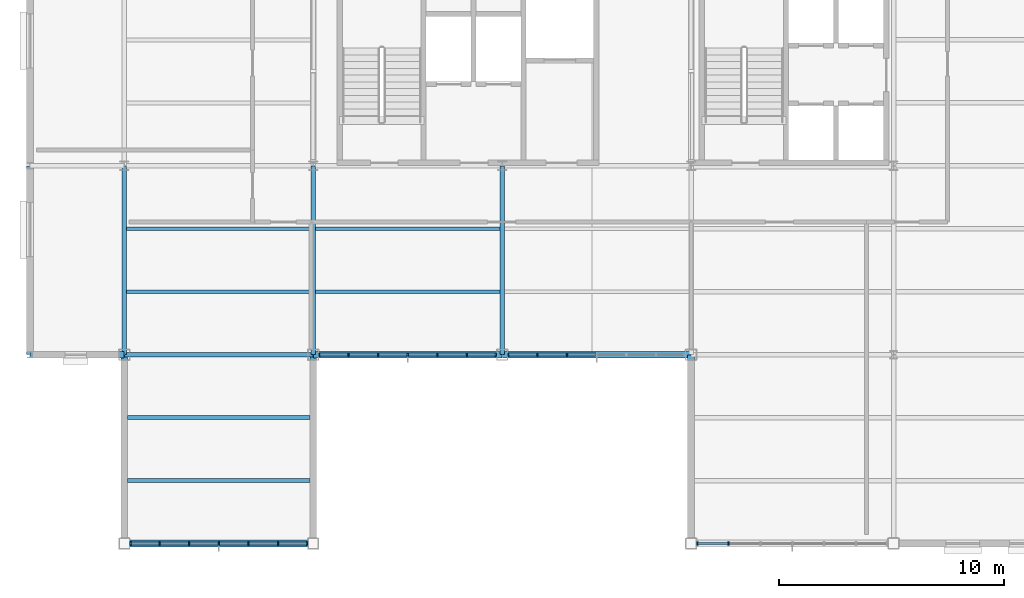
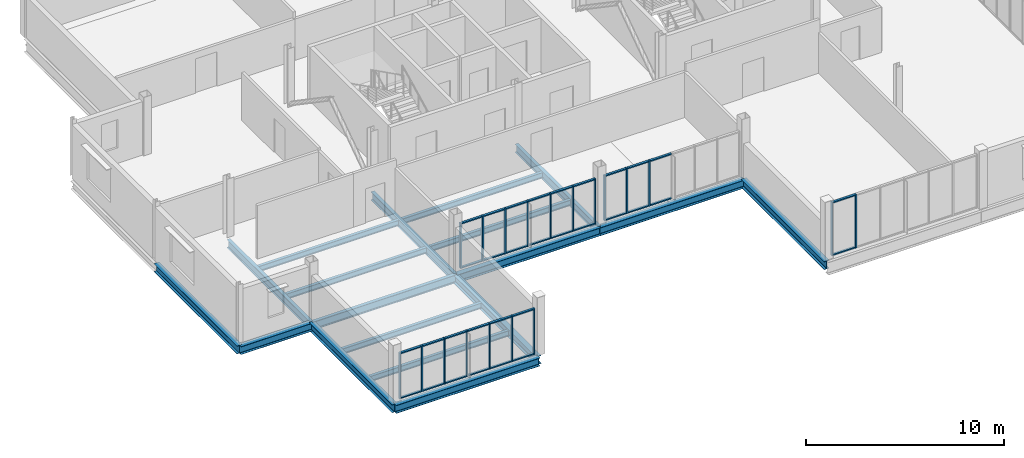
# One storey, part 5 of 19: 51 members, 18 beams, 4 elements without a shape of their own.
"""IFC4 building model written with IfcOpenShell, lengths in metres."""

from ifc_helpers import new_model, si_unit, direction, frame, origin, origin_2d, place, context, subcontext, project, spatial, rectangle, i_section, extrude, material, layer, layer_set, material_profile, profile_set, type_object, element, aggregate, save


model = new_model("IFC4")

# Units and contexts
model_context = context("Model", 3, precision=1e-05, world=origin(), true_north=direction((0.0, 1.0)))
body_context = subcontext(model_context, "Body", "Model", "MODEL_VIEW")
ifc_project = project(units=[si_unit("LENGTHUNIT", "METRE"), si_unit("AREAUNIT", "SQUARE_METRE"), si_unit("VOLUMEUNIT", "CUBIC_METRE"), si_unit("PLANEANGLEUNIT", "RADIAN"), si_unit("MASSUNIT", "GRAM", prefix="KILO")], contexts=[model_context])

# Site, building, storey
site_placement = place(None, origin())
site = spatial("IfcSite", under=ifc_project, at=site_placement, CompositionType="ELEMENT")
building_placement = place(site_placement, origin())
building = spatial("IfcBuilding", under=site, at=building_placement, Name="Yukiwa Park Conservatory and Herbarium", CompositionType="ELEMENT")
storey_placement = place(building_placement, frame((0.0, 0.0, 31.800048828125)))
storey = spatial("IfcBuildingStorey", under=building, at=storey_placement, Name="L08", CompositionType="ELEMENT", Elevation=31.800048828125)

# Beams
ifc_material_1 = material(Name="Steel Q355D", Category="steel")
ifc_material_profile_1 = material_profile(ifc_material_1, i_section(OverallWidth=0.198974609375, OverallDepth=0.49609375, WebThickness=0.009033203125, FlangeThickness=0.013916015625, FilletRadius=0.02001953125, at=origin_2d()), Name="HN 496x199x9x14")
ifc_profile_set_1 = profile_set([ifc_material_profile_1], Name="Steel Q355D")
beam_type_1 = type_object("IfcBeamType", Name="BM-GRD-HN496", PredefinedType="BEAM", material=ifc_profile_set_1)
beam_1_placement = place(storey_placement, frame((124.805908203125, 86.39990234375, -0.49609375), z_axis=(1.0, 0.0, 0.0), x_axis=(0.0, 1.0, 0.0)))
element("IfcBeam", 1, at=beam_1_placement, inside=storey, type_object=beam_type_1, Name="L08 grid beam X-5", PredefinedType="BEAM", context=body_context, shape_type="SweptSolid", body=[
    extrude(i_section(OverallWidth=0.198974609375, OverallDepth=0.49609375, WebThickness=0.009033203125, FlangeThickness=0.013916015625, FilletRadius=0.02001953125, at=origin_2d()), origin(), (0.0, 0.0, 1.0), 8.38818359375),
])
ifc_material_2 = material(Name="Steel Q355D", Category="steel")
ifc_material_profile_2 = material_profile(ifc_material_2, i_section(OverallWidth=0.199951171875, OverallDepth=0.5, WebThickness=0.010009765625, FlangeThickness=0.01611328125, FilletRadius=0.02001953125, at=origin_2d()), Name="HN 500x200x10x16")
ifc_profile_set_2 = profile_set([ifc_material_profile_2], Name="Steel Q355D")
beam_type_2 = type_object("IfcBeamType", Name="BM-GRD-HN500", PredefinedType="BEAM", material=ifc_profile_set_2)
for number, where, z_axis, x_axis, name in (
    (2, (124.800048828125, 86.406005859375, -0.498046875), (0.0, 1.0, 0.0), (-1.0, 0.0, 0.0), "L08 grid girder Y-30"),
    (3, (133.199951171875, 86.406005859375, -0.498046875), (0.0, 1.0, 0.0), (-1.0, 0.0, 0.0), "L08 grid girder Y-34"),
    (4, (141.60009765625, 86.406005859375, -0.498046875), (0.0, 1.0, 0.0), (-1.0, 0.0, 0.0), "L08 grid girder Y-37"),
):
    element("IfcBeam", number, at=place(storey_placement, frame(where, z_axis=z_axis, x_axis=x_axis)), inside=storey, type_object=beam_type_2, Name=name, PredefinedType="BEAM", context=body_context, shape_type="SweptSolid", body=[
        extrude(i_section(OverallWidth=0.199951171875, OverallDepth=0.5, WebThickness=0.010009765625, FlangeThickness=0.01611328125, FilletRadius=0.02001953125, at=origin_2d()), origin(), (0.0, 0.0, 1.0), 8.387939453125),
    ])
ifc_material_3 = material(Name="Steel Q355D", Category="steel")
ifc_material_profile_3 = material_profile(ifc_material_3, i_section(OverallWidth=0.174072265625, OverallDepth=0.345947265625, WebThickness=0.006103515625, FlangeThickness=0.009033203125, FilletRadius=0.013916015625, at=origin_2d()), Name="HN 346x174x6x9")
ifc_profile_set_3 = profile_set([ifc_material_profile_3], Name="Steel Q355D")
beam_type_3 = type_object("IfcBeamType", Name="BM-JST-HN346", PredefinedType="JOIST", material=ifc_profile_set_3)
for number, where, z_axis, x_axis, name in (
    (5, (124.946044921875, 80.800048828125, -0.421142578125), (1.0, 0.0, 0.0), (0.0, 1.0, 0.0), "L08 composite floor joist 1"),
    (6, (124.946044921875, 83.60009765625, -0.421142578125), (1.0, 0.0, 0.0), (0.0, 1.0, 0.0), "L08 composite floor joist 2"),
):
    element("IfcBeam", number, at=place(storey_placement, frame(where, z_axis=z_axis, x_axis=x_axis)), inside=storey, type_object=beam_type_3, Name=name, PredefinedType="JOIST", context=body_context, shape_type="SweptSolid", body=[
        extrude(i_section(OverallWidth=0.174072265625, OverallDepth=0.345947265625, WebThickness=0.006103515625, FlangeThickness=0.009033203125, FilletRadius=0.013916015625, at=origin_2d()), origin(), (0.0, 0.0, 1.0), 8.10791015625),
    ])
for number, where, z_axis, x_axis, name in (
    (7, (124.89599609375, 89.199951171875, -0.421142578125), (1.0, 0.0, 0.0), (0.0, 1.0, 0.0), "L08 composite floor joist 3"),
    (8, (124.89599609375, 92.0, -0.421142578125), (1.0, 0.0, 0.0), (0.0, 1.0, 0.0), "L08 composite floor joist 4"),
    (9, (133.2958984375, 89.199951171875, -0.421142578125), (1.0, 0.0, 0.0), (0.0, 1.0, 0.0), "L08 composite floor joist 9"),
    (10, (133.2958984375, 92.0, -0.421142578125), (1.0, 0.0, 0.0), (0.0, 1.0, 0.0), "L08 composite floor joist 10"),
):
    element("IfcBeam", number, at=place(storey_placement, frame(where, z_axis=z_axis, x_axis=x_axis)), inside=storey, type_object=beam_type_3, Name=name, PredefinedType="JOIST", context=body_context, shape_type="SweptSolid", body=[
        extrude(i_section(OverallWidth=0.174072265625, OverallDepth=0.345947265625, WebThickness=0.006103515625, FlangeThickness=0.009033203125, FilletRadius=0.013916015625, at=origin_2d()), origin(), (0.0, 0.0, 1.0), 8.2080078125),
    ])
ifc_material_4 = material(Name="Steel Q355D", Category="steel")
ifc_material_profile_4 = material_profile(ifc_material_4, i_section(OverallWidth=0.300048828125, OverallDepth=0.493896484375, WebThickness=0.010986328125, FlangeThickness=0.014892578125, FilletRadius=0.02392578125, at=origin_2d()), Name="HM 494x300x11x15")
ifc_profile_set_4 = profile_set([ifc_material_profile_4], Name="Steel Q355D")
beam_type_4 = type_object("IfcBeamType", Name="BM-SPN-HN450", PredefinedType="SPANDREL", material=ifc_profile_set_4)
beam_2_placement = place(storey_placement, frame((120.60595703125, 86.39990234375, -0.4951171875), z_axis=(1.0, 0.0, 0.0), x_axis=(0.0, 1.0, 0.0)))
element("IfcBeam", 11, at=beam_2_placement, inside=storey, type_object=beam_type_4, Name="L08 spandrel beam X-4", PredefinedType="SPANDREL", context=body_context, shape_type="SweptSolid", body=[
    extrude(i_section(OverallWidth=0.300048828125, OverallDepth=0.493896484375, WebThickness=0.010986328125, FlangeThickness=0.014892578125, FilletRadius=0.02392578125, at=origin_2d()), origin(), (0.0, 0.0, 1.0), 4.18798828125),
])
ifc_material_5 = material(Name="Steel Q355D", Category="steel")
ifc_material_profile_5 = material_profile(ifc_material_5, i_section(OverallWidth=0.300048828125, OverallDepth=0.5, WebThickness=0.010986328125, FlangeThickness=0.01806640625, FilletRadius=0.02392578125, at=origin_2d()), Name="HM 500x300x11x18")
ifc_profile_set_5 = profile_set([ifc_material_profile_5], Name="Steel Q355D")
beam_type_5 = type_object("IfcBeamType", Name="BM-SPN-HN500", PredefinedType="SPANDREL", material=ifc_profile_set_5)
beam_3_placement = place(storey_placement, frame((124.805908203125, 78.0, -0.498046875), z_axis=(1.0, 0.0, 0.0), x_axis=(0.0, 1.0, 0.0)))
element("IfcBeam", 12, at=beam_3_placement, inside=storey, type_object=beam_type_5, Name="L08 spandrel beam X-1", PredefinedType="SPANDREL", context=body_context, shape_type="SweptSolid", body=[
    extrude(i_section(OverallWidth=0.300048828125, OverallDepth=0.5, WebThickness=0.010986328125, FlangeThickness=0.01806640625, FilletRadius=0.02392578125, at=origin_2d()), origin(), (0.0, 0.0, 1.0), 8.38818359375),
])
for number, where, z_axis, x_axis, name in (
    (13, (133.2060546875, 86.39990234375, -0.498046875), (1.0, 0.0, 0.0), (0.0, 1.0, 0.0), "L08 spandrel beam X-6"),
    (14, (141.60595703125, 86.39990234375, -0.498046875), (1.0, 0.0, 0.0), (0.0, 1.0, 0.0), "L08 spandrel beam X-7"),
    (15, (120.60009765625, 86.406005859375, -0.498046875), (0.0, 1.0, 0.0), (-1.0, 0.0, 0.0), "L08 spandrel girder Y-27"),
    (16, (124.800048828125, 78.006103515625, -0.498046875), (0.0, 1.0, 0.0), (-1.0, 0.0, 0.0), "L08 spandrel girder Y-29"),
    (17, (133.199951171875, 78.006103515625, -0.498046875), (0.0, 1.0, 0.0), (-1.0, 0.0, 0.0), "L08 spandrel girder Y-33"),
    (18, (150.0, 78.006103515625, -0.498046875), (0.0, 1.0, 0.0), (-1.0, 0.0, 0.0), "L08 spandrel girder Y-39"),
):
    element("IfcBeam", number, at=place(storey_placement, frame(where, z_axis=z_axis, x_axis=x_axis)), inside=storey, type_object=beam_type_5, Name=name, PredefinedType="SPANDREL", context=body_context, shape_type="SweptSolid", body=[
        extrude(i_section(OverallWidth=0.300048828125, OverallDepth=0.5, WebThickness=0.010986328125, FlangeThickness=0.01806640625, FilletRadius=0.02392578125, at=origin_2d()), origin(), (0.0, 0.0, 1.0), 8.387939453125),
    ])

# Curtain wall, members
ifc_material_6 = material(Name="Triple Low-E Insulated Glass", Category="glass")
ifc_layer = layer(ifc_material_6, 0.248046875)
ifc_layer_set = layer_set([ifc_layer], Name="Triple Low-E Insulated Glass")
curtain_wall_type = type_object("IfcCurtainWallType", Name="CW-TOWER-LAB-S-1400", PredefinedType="NOTDEFINED", material=ifc_layer_set)
curtain_wall_1_placement = place(storey_placement, origin())
curtain_wall_1 = element("IfcCurtainWall", 19, at=curtain_wall_1_placement, inside=storey, type_object=curtain_wall_type, Name="L08 unitised curtain wall CW-L08-093", PredefinedType="NOTDEFINED")
ifc_material_7 = material(Name="Anodised Aluminium", Category="aluminium")
member_type_1 = type_object("IfcMemberType", Name="MB-CW-MUL-70X150", PredefinedType="MULLION", material=ifc_material_7)
member_1_placement = place(storey_placement, frame((125.0849609375, 78.0, 0.0), z_axis=(0.0, 0.0, 1.0), x_axis=(1.0, 0.0, 0.0)))
member_1 = element("IfcMember", 20, at=member_1_placement, type_object=member_type_1, Name="CW-L08-093 mullion 1", PredefinedType="MULLION", context=body_context, shape_type="SweptSolid", body=[
    extrude(rectangle(XDim=0.070068359375, YDim=0.14990234375, at=origin_2d()), origin(), (0.0, 0.0, 1.0), 2.824951171875),
])
member_2_placement = place(storey_placement, frame((126.36669921875, 78.0, 0.0), z_axis=(0.0, 0.0, 1.0), x_axis=(1.0, 0.0, 0.0)))
member_2 = element("IfcMember", 21, at=member_2_placement, type_object=member_type_1, Name="CW-L08-093 mullion 2", PredefinedType="MULLION", context=body_context, shape_type="SweptSolid", body=[
    extrude(rectangle(XDim=0.070068359375, YDim=0.14990234375, at=origin_2d()), origin(), (0.0, 0.0, 1.0), 2.824951171875),
])
member_3_placement = place(storey_placement, frame((127.683349609375, 78.0, 0.0), z_axis=(0.0, 0.0, 1.0), x_axis=(1.0, 0.0, 0.0)))
member_3 = element("IfcMember", 22, at=member_3_placement, type_object=member_type_1, Name="CW-L08-093 mullion 3", PredefinedType="MULLION", context=body_context, shape_type="SweptSolid", body=[
    extrude(rectangle(XDim=0.070068359375, YDim=0.14990234375, at=origin_2d()), origin(), (0.0, 0.0, 1.0), 2.824951171875),
])
member_4_placement = place(storey_placement, frame((129.0, 78.0, 0.0), z_axis=(0.0, 0.0, 1.0), x_axis=(1.0, 0.0, 0.0)))
member_4 = element("IfcMember", 23, at=member_4_placement, type_object=member_type_1, Name="CW-L08-093 mullion 4", PredefinedType="MULLION", context=body_context, shape_type="SweptSolid", body=[
    extrude(rectangle(XDim=0.070068359375, YDim=0.14990234375, at=origin_2d()), origin(), (0.0, 0.0, 1.0), 2.824951171875),
])
member_5_placement = place(storey_placement, frame((130.316650390625, 78.0, 0.0), z_axis=(0.0, 0.0, 1.0), x_axis=(1.0, 0.0, 0.0)))
member_5 = element("IfcMember", 24, at=member_5_placement, type_object=member_type_1, Name="CW-L08-093 mullion 5", PredefinedType="MULLION", context=body_context, shape_type="SweptSolid", body=[
    extrude(rectangle(XDim=0.070068359375, YDim=0.14990234375, at=origin_2d()), origin(), (0.0, 0.0, 1.0), 2.824951171875),
])
member_6_placement = place(storey_placement, frame((131.63330078125, 78.0, 0.0), z_axis=(0.0, 0.0, 1.0), x_axis=(1.0, 0.0, 0.0)))
member_6 = element("IfcMember", 25, at=member_6_placement, type_object=member_type_1, Name="CW-L08-093 mullion 6", PredefinedType="MULLION", context=body_context, shape_type="SweptSolid", body=[
    extrude(rectangle(XDim=0.070068359375, YDim=0.14990234375, at=origin_2d()), origin(), (0.0, 0.0, 1.0), 2.824951171875),
])
member_7_placement = place(storey_placement, frame((132.9150390625, 78.0, 0.0), z_axis=(0.0, 0.0, 1.0), x_axis=(1.0, 0.0, 0.0)))
member_7 = element("IfcMember", 26, at=member_7_placement, type_object=member_type_1, Name="CW-L08-093 mullion 7", PredefinedType="MULLION", context=body_context, shape_type="SweptSolid", body=[
    extrude(rectangle(XDim=0.070068359375, YDim=0.14990234375, at=origin_2d()), origin(), (0.0, 0.0, 1.0), 2.824951171875),
])

curtain_wall_2_placement = place(storey_placement, origin())
curtain_wall_2 = element("IfcCurtainWall", 27, at=curtain_wall_2_placement, inside=storey, type_object=curtain_wall_type, Name="L08 unitised curtain wall CW-L08-094", PredefinedType="NOTDEFINED")
member_8_placement = place(storey_placement, frame((133.485107421875, 86.39990234375, 0.0), z_axis=(0.0, 0.0, 1.0), x_axis=(1.0, 0.0, 0.0)))
member_8 = element("IfcMember", 28, at=member_8_placement, type_object=member_type_1, Name="CW-L08-094 mullion 1", PredefinedType="MULLION", context=body_context, shape_type="SweptSolid", body=[
    extrude(rectangle(XDim=0.070068359375, YDim=0.14990234375, at=origin_2d()), origin(), (0.0, 0.0, 1.0), 2.794921875),
])
member_9_placement = place(storey_placement, frame((134.7666015625, 86.39990234375, 0.0), z_axis=(0.0, 0.0, 1.0), x_axis=(1.0, 0.0, 0.0)))
member_9 = element("IfcMember", 29, at=member_9_placement, type_object=member_type_1, Name="CW-L08-094 mullion 2", PredefinedType="MULLION", context=body_context, shape_type="SweptSolid", body=[
    extrude(rectangle(XDim=0.070068359375, YDim=0.14990234375, at=origin_2d()), origin(), (0.0, 0.0, 1.0), 2.794921875),
])
member_10_placement = place(storey_placement, frame((136.083251953125, 86.39990234375, 0.0), z_axis=(0.0, 0.0, 1.0), x_axis=(1.0, 0.0, 0.0)))
member_10 = element("IfcMember", 30, at=member_10_placement, type_object=member_type_1, Name="CW-L08-094 mullion 3", PredefinedType="MULLION", context=body_context, shape_type="SweptSolid", body=[
    extrude(rectangle(XDim=0.070068359375, YDim=0.14990234375, at=origin_2d()), origin(), (0.0, 0.0, 1.0), 2.794921875),
])
member_11_placement = place(storey_placement, frame((137.39990234375, 86.39990234375, 0.0), z_axis=(0.0, 0.0, 1.0), x_axis=(1.0, 0.0, 0.0)))
member_11 = element("IfcMember", 31, at=member_11_placement, type_object=member_type_1, Name="CW-L08-094 mullion 4", PredefinedType="MULLION", context=body_context, shape_type="SweptSolid", body=[
    extrude(rectangle(XDim=0.070068359375, YDim=0.14990234375, at=origin_2d()), origin(), (0.0, 0.0, 1.0), 2.794921875),
])
member_12_placement = place(storey_placement, frame((138.716796875, 86.39990234375, 0.0), z_axis=(0.0, 0.0, 1.0), x_axis=(1.0, 0.0, 0.0)))
member_12 = element("IfcMember", 32, at=member_12_placement, type_object=member_type_1, Name="CW-L08-094 mullion 5", PredefinedType="MULLION", context=body_context, shape_type="SweptSolid", body=[
    extrude(rectangle(XDim=0.070068359375, YDim=0.14990234375, at=origin_2d()), origin(), (0.0, 0.0, 1.0), 2.794921875),
])
member_13_placement = place(storey_placement, frame((140.033203125, 86.39990234375, 0.0), z_axis=(0.0, 0.0, 1.0), x_axis=(1.0, 0.0, 0.0)))
member_13 = element("IfcMember", 33, at=member_13_placement, type_object=member_type_1, Name="CW-L08-094 mullion 6", PredefinedType="MULLION", context=body_context, shape_type="SweptSolid", body=[
    extrude(rectangle(XDim=0.070068359375, YDim=0.14990234375, at=origin_2d()), origin(), (0.0, 0.0, 1.0), 2.794921875),
])
member_14_placement = place(storey_placement, frame((141.31494140625, 86.39990234375, 0.0), z_axis=(0.0, 0.0, 1.0), x_axis=(1.0, 0.0, 0.0)))
member_14 = element("IfcMember", 34, at=member_14_placement, type_object=member_type_1, Name="CW-L08-094 mullion 7", PredefinedType="MULLION", context=body_context, shape_type="SweptSolid", body=[
    extrude(rectangle(XDim=0.070068359375, YDim=0.14990234375, at=origin_2d()), origin(), (0.0, 0.0, 1.0), 2.794921875),
])

curtain_wall_3_placement = place(storey_placement, origin())
curtain_wall_3 = element("IfcCurtainWall", 35, at=curtain_wall_3_placement, inside=storey, type_object=curtain_wall_type, Name="L08 unitised curtain wall CW-L08-095", PredefinedType="NOTDEFINED")
member_15_placement = place(storey_placement, frame((141.885009765625, 86.39990234375, 0.0), z_axis=(0.0, 0.0, 1.0), x_axis=(1.0, 0.0, 0.0)))
member_15 = element("IfcMember", 36, at=member_15_placement, type_object=member_type_1, Name="CW-L08-095 mullion 1", PredefinedType="MULLION", context=body_context, shape_type="SweptSolid", body=[
    extrude(rectangle(XDim=0.070068359375, YDim=0.14990234375, at=origin_2d()), origin(), (0.0, 0.0, 1.0), 2.794921875),
])
member_16_placement = place(storey_placement, frame((143.166748046875, 86.39990234375, 0.0), z_axis=(0.0, 0.0, 1.0), x_axis=(1.0, 0.0, 0.0)))
member_16 = element("IfcMember", 37, at=member_16_placement, type_object=member_type_1, Name="CW-L08-095 mullion 2", PredefinedType="MULLION", context=body_context, shape_type="SweptSolid", body=[
    extrude(rectangle(XDim=0.070068359375, YDim=0.14990234375, at=origin_2d()), origin(), (0.0, 0.0, 1.0), 2.794921875),
])
member_17_placement = place(storey_placement, frame((144.4833984375, 86.39990234375, 0.0), z_axis=(0.0, 0.0, 1.0), x_axis=(1.0, 0.0, 0.0)))
member_17 = element("IfcMember", 38, at=member_17_placement, type_object=member_type_1, Name="CW-L08-095 mullion 3", PredefinedType="MULLION", context=body_context, shape_type="SweptSolid", body=[
    extrude(rectangle(XDim=0.070068359375, YDim=0.14990234375, at=origin_2d()), origin(), (0.0, 0.0, 1.0), 2.794921875),
])

curtain_wall_4_placement = place(storey_placement, origin())
curtain_wall_4 = element("IfcCurtainWall", 39, at=curtain_wall_4_placement, inside=storey, type_object=curtain_wall_type, Name="L08 unitised curtain wall CW-L08-096", PredefinedType="NOTDEFINED")
member_18_placement = place(storey_placement, frame((150.284912109375, 78.0, 0.0), z_axis=(0.0, 0.0, 1.0), x_axis=(1.0, 0.0, 0.0)))
member_18 = element("IfcMember", 40, at=member_18_placement, type_object=member_type_1, Name="CW-L08-096 mullion 1", PredefinedType="MULLION", context=body_context, shape_type="SweptSolid", body=[
    extrude(rectangle(XDim=0.070068359375, YDim=0.14990234375, at=origin_2d()), origin(), (0.0, 0.0, 1.0), 3.294921875),
])
member_19_placement = place(storey_placement, frame((151.666748046875, 78.0, 0.0), z_axis=(0.0, 0.0, 1.0), x_axis=(1.0, 0.0, 0.0)))
member_19 = element("IfcMember", 41, at=member_19_placement, type_object=member_type_1, Name="CW-L08-096 mullion 2", PredefinedType="MULLION", context=body_context, shape_type="SweptSolid", body=[
    extrude(rectangle(XDim=0.070068359375, YDim=0.14990234375, at=origin_2d()), origin(), (0.0, 0.0, 1.0), 3.294921875),
])

# Member
ifc_material_8 = material(Name="Anodised Aluminium", Category="aluminium")
member_type_2 = type_object("IfcMemberType", Name="MB-CW-TRN-70X130", PredefinedType="USERDEFINED", material=ifc_material_8)
member_20_placement = place(storey_placement, frame((125.708251953125, 78.0, 0.0), z_axis=(0.0, 0.0, 1.0), x_axis=(1.0, 0.0, 0.0)))
member_20 = element("IfcMember", 42, at=member_20_placement, type_object=member_type_2, Name="CW-L08-093 transom 1.1", ObjectType="TRANSOM", PredefinedType="USERDEFINED", context=body_context, shape_type="SweptSolid", body=[
    extrude(rectangle(XDim=1.24658203125, YDim=0.1298828125, at=origin_2d()), origin(), (0.0, 0.0, 1.0), 0.070068359375),
])

member_21_placement = place(storey_placement, frame((125.708251953125, 78.0, 2.7548828125), z_axis=(0.0, 0.0, 1.0), x_axis=(1.0, 0.0, 0.0)))
member_21 = element("IfcMember", 43, at=member_21_placement, type_object=member_type_2, Name="CW-L08-093 transom 1.2", ObjectType="TRANSOM", PredefinedType="USERDEFINED", context=body_context, shape_type="SweptSolid", body=[
    extrude(rectangle(XDim=1.24658203125, YDim=0.1298828125, at=origin_2d()), origin(), (0.0, 0.0, 1.0), 0.070068359375),
])

member_22_placement = place(storey_placement, frame((127.02490234375, 78.0, 0.0), z_axis=(0.0, 0.0, 1.0), x_axis=(1.0, 0.0, 0.0)))
member_22 = element("IfcMember", 44, at=member_22_placement, type_object=member_type_2, Name="CW-L08-093 transom 2.1", ObjectType="TRANSOM", PredefinedType="USERDEFINED", context=body_context, shape_type="SweptSolid", body=[
    extrude(rectangle(XDim=1.24658203125, YDim=0.1298828125, at=origin_2d()), origin(), (0.0, 0.0, 1.0), 0.070068359375),
])

member_23_placement = place(storey_placement, frame((127.02490234375, 78.0, 2.7548828125), z_axis=(0.0, 0.0, 1.0), x_axis=(1.0, 0.0, 0.0)))
member_23 = element("IfcMember", 45, at=member_23_placement, type_object=member_type_2, Name="CW-L08-093 transom 2.2", ObjectType="TRANSOM", PredefinedType="USERDEFINED", context=body_context, shape_type="SweptSolid", body=[
    extrude(rectangle(XDim=1.24658203125, YDim=0.1298828125, at=origin_2d()), origin(), (0.0, 0.0, 1.0), 0.070068359375),
])

member_24_placement = place(storey_placement, frame((128.341796875, 78.0, 0.0), z_axis=(0.0, 0.0, 1.0), x_axis=(1.0, 0.0, 0.0)))
member_24 = element("IfcMember", 46, at=member_24_placement, type_object=member_type_2, Name="CW-L08-093 transom 3.1", ObjectType="TRANSOM", PredefinedType="USERDEFINED", context=body_context, shape_type="SweptSolid", body=[
    extrude(rectangle(XDim=1.24658203125, YDim=0.1298828125, at=origin_2d()), origin(), (0.0, 0.0, 1.0), 0.070068359375),
])

member_25_placement = place(storey_placement, frame((128.341796875, 78.0, 2.7548828125), z_axis=(0.0, 0.0, 1.0), x_axis=(1.0, 0.0, 0.0)))
member_25 = element("IfcMember", 47, at=member_25_placement, type_object=member_type_2, Name="CW-L08-093 transom 3.2", ObjectType="TRANSOM", PredefinedType="USERDEFINED", context=body_context, shape_type="SweptSolid", body=[
    extrude(rectangle(XDim=1.24658203125, YDim=0.1298828125, at=origin_2d()), origin(), (0.0, 0.0, 1.0), 0.070068359375),
])

member_26_placement = place(storey_placement, frame((129.658203125, 78.0, 0.0), z_axis=(0.0, 0.0, 1.0), x_axis=(1.0, 0.0, 0.0)))
member_26 = element("IfcMember", 48, at=member_26_placement, type_object=member_type_2, Name="CW-L08-093 transom 4.1", ObjectType="TRANSOM", PredefinedType="USERDEFINED", context=body_context, shape_type="SweptSolid", body=[
    extrude(rectangle(XDim=1.24658203125, YDim=0.1298828125, at=origin_2d()), origin(), (0.0, 0.0, 1.0), 0.070068359375),
])

member_27_placement = place(storey_placement, frame((129.658203125, 78.0, 2.7548828125), z_axis=(0.0, 0.0, 1.0), x_axis=(1.0, 0.0, 0.0)))
member_27 = element("IfcMember", 49, at=member_27_placement, type_object=member_type_2, Name="CW-L08-093 transom 4.2", ObjectType="TRANSOM", PredefinedType="USERDEFINED", context=body_context, shape_type="SweptSolid", body=[
    extrude(rectangle(XDim=1.24658203125, YDim=0.1298828125, at=origin_2d()), origin(), (0.0, 0.0, 1.0), 0.070068359375),
])

member_28_placement = place(storey_placement, frame((130.97509765625, 78.0, 0.0), z_axis=(0.0, 0.0, 1.0), x_axis=(1.0, 0.0, 0.0)))
member_28 = element("IfcMember", 50, at=member_28_placement, type_object=member_type_2, Name="CW-L08-093 transom 5.1", ObjectType="TRANSOM", PredefinedType="USERDEFINED", context=body_context, shape_type="SweptSolid", body=[
    extrude(rectangle(XDim=1.24658203125, YDim=0.1298828125, at=origin_2d()), origin(), (0.0, 0.0, 1.0), 0.070068359375),
])

member_29_placement = place(storey_placement, frame((130.97509765625, 78.0, 2.7548828125), z_axis=(0.0, 0.0, 1.0), x_axis=(1.0, 0.0, 0.0)))
member_29 = element("IfcMember", 51, at=member_29_placement, type_object=member_type_2, Name="CW-L08-093 transom 5.2", ObjectType="TRANSOM", PredefinedType="USERDEFINED", context=body_context, shape_type="SweptSolid", body=[
    extrude(rectangle(XDim=1.24658203125, YDim=0.1298828125, at=origin_2d()), origin(), (0.0, 0.0, 1.0), 0.070068359375),
])

member_30_placement = place(storey_placement, frame((132.291748046875, 78.0, 0.0), z_axis=(0.0, 0.0, 1.0), x_axis=(1.0, 0.0, 0.0)))
member_30 = element("IfcMember", 52, at=member_30_placement, type_object=member_type_2, Name="CW-L08-093 transom 6.1", ObjectType="TRANSOM", PredefinedType="USERDEFINED", context=body_context, shape_type="SweptSolid", body=[
    extrude(rectangle(XDim=1.24658203125, YDim=0.1298828125, at=origin_2d()), origin(), (0.0, 0.0, 1.0), 0.070068359375),
])

member_31_placement = place(storey_placement, frame((132.291748046875, 78.0, 2.7548828125), z_axis=(0.0, 0.0, 1.0), x_axis=(1.0, 0.0, 0.0)))
member_31 = element("IfcMember", 53, at=member_31_placement, type_object=member_type_2, Name="CW-L08-093 transom 6.2", ObjectType="TRANSOM", PredefinedType="USERDEFINED", context=body_context, shape_type="SweptSolid", body=[
    extrude(rectangle(XDim=1.24658203125, YDim=0.1298828125, at=origin_2d()), origin(), (0.0, 0.0, 1.0), 0.070068359375),
])

aggregate(curtain_wall_1, [member_1, member_2, member_3, member_4, member_5, member_6, member_7, member_20, member_21, member_22, member_23, member_24, member_25, member_26, member_27, member_28, member_29, member_30, member_31])

member_32_placement = place(storey_placement, frame((134.1083984375, 86.39990234375, 0.0), z_axis=(0.0, 0.0, 1.0), x_axis=(1.0, 0.0, 0.0)))
member_32 = element("IfcMember", 54, at=member_32_placement, type_object=member_type_2, Name="CW-L08-094 transom 1.1", ObjectType="TRANSOM", PredefinedType="USERDEFINED", context=body_context, shape_type="SweptSolid", body=[
    extrude(rectangle(XDim=1.24658203125, YDim=0.1298828125, at=origin_2d()), origin(), (0.0, 0.0, 1.0), 0.070068359375),
])

member_33_placement = place(storey_placement, frame((134.1083984375, 86.39990234375, 2.72509765625), z_axis=(0.0, 0.0, 1.0), x_axis=(1.0, 0.0, 0.0)))
member_33 = element("IfcMember", 55, at=member_33_placement, type_object=member_type_2, Name="CW-L08-094 transom 1.2", ObjectType="TRANSOM", PredefinedType="USERDEFINED", context=body_context, shape_type="SweptSolid", body=[
    extrude(rectangle(XDim=1.24658203125, YDim=0.1298828125, at=origin_2d()), origin(), (0.0, 0.0, 1.0), 0.070068359375),
])

member_34_placement = place(storey_placement, frame((135.425048828125, 86.39990234375, 0.0), z_axis=(0.0, 0.0, 1.0), x_axis=(1.0, 0.0, 0.0)))
member_34 = element("IfcMember", 56, at=member_34_placement, type_object=member_type_2, Name="CW-L08-094 transom 2.1", ObjectType="TRANSOM", PredefinedType="USERDEFINED", context=body_context, shape_type="SweptSolid", body=[
    extrude(rectangle(XDim=1.24658203125, YDim=0.1298828125, at=origin_2d()), origin(), (0.0, 0.0, 1.0), 0.070068359375),
])

member_35_placement = place(storey_placement, frame((135.425048828125, 86.39990234375, 2.72509765625), z_axis=(0.0, 0.0, 1.0), x_axis=(1.0, 0.0, 0.0)))
member_35 = element("IfcMember", 57, at=member_35_placement, type_object=member_type_2, Name="CW-L08-094 transom 2.2", ObjectType="TRANSOM", PredefinedType="USERDEFINED", context=body_context, shape_type="SweptSolid", body=[
    extrude(rectangle(XDim=1.24658203125, YDim=0.1298828125, at=origin_2d()), origin(), (0.0, 0.0, 1.0), 0.070068359375),
])

member_36_placement = place(storey_placement, frame((136.74169921875, 86.39990234375, 0.0), z_axis=(0.0, 0.0, 1.0), x_axis=(1.0, 0.0, 0.0)))
member_36 = element("IfcMember", 58, at=member_36_placement, type_object=member_type_2, Name="CW-L08-094 transom 3.1", ObjectType="TRANSOM", PredefinedType="USERDEFINED", context=body_context, shape_type="SweptSolid", body=[
    extrude(rectangle(XDim=1.24658203125, YDim=0.1298828125, at=origin_2d()), origin(), (0.0, 0.0, 1.0), 0.070068359375),
])

member_37_placement = place(storey_placement, frame((136.74169921875, 86.39990234375, 2.72509765625), z_axis=(0.0, 0.0, 1.0), x_axis=(1.0, 0.0, 0.0)))
member_37 = element("IfcMember", 59, at=member_37_placement, type_object=member_type_2, Name="CW-L08-094 transom 3.2", ObjectType="TRANSOM", PredefinedType="USERDEFINED", context=body_context, shape_type="SweptSolid", body=[
    extrude(rectangle(XDim=1.24658203125, YDim=0.1298828125, at=origin_2d()), origin(), (0.0, 0.0, 1.0), 0.070068359375),
])

member_38_placement = place(storey_placement, frame((138.058349609375, 86.39990234375, 0.0), z_axis=(0.0, 0.0, 1.0), x_axis=(1.0, 0.0, 0.0)))
member_38 = element("IfcMember", 60, at=member_38_placement, type_object=member_type_2, Name="CW-L08-094 transom 4.1", ObjectType="TRANSOM", PredefinedType="USERDEFINED", context=body_context, shape_type="SweptSolid", body=[
    extrude(rectangle(XDim=1.24658203125, YDim=0.1298828125, at=origin_2d()), origin(), (0.0, 0.0, 1.0), 0.070068359375),
])

member_39_placement = place(storey_placement, frame((138.058349609375, 86.39990234375, 2.72509765625), z_axis=(0.0, 0.0, 1.0), x_axis=(1.0, 0.0, 0.0)))
member_39 = element("IfcMember", 61, at=member_39_placement, type_object=member_type_2, Name="CW-L08-094 transom 4.2", ObjectType="TRANSOM", PredefinedType="USERDEFINED", context=body_context, shape_type="SweptSolid", body=[
    extrude(rectangle(XDim=1.24658203125, YDim=0.1298828125, at=origin_2d()), origin(), (0.0, 0.0, 1.0), 0.070068359375),
])

member_40_placement = place(storey_placement, frame((139.375, 86.39990234375, 0.0), z_axis=(0.0, 0.0, 1.0), x_axis=(1.0, 0.0, 0.0)))
member_40 = element("IfcMember", 62, at=member_40_placement, type_object=member_type_2, Name="CW-L08-094 transom 5.1", ObjectType="TRANSOM", PredefinedType="USERDEFINED", context=body_context, shape_type="SweptSolid", body=[
    extrude(rectangle(XDim=1.24658203125, YDim=0.1298828125, at=origin_2d()), origin(), (0.0, 0.0, 1.0), 0.070068359375),
])

member_41_placement = place(storey_placement, frame((139.375, 86.39990234375, 2.72509765625), z_axis=(0.0, 0.0, 1.0), x_axis=(1.0, 0.0, 0.0)))
member_41 = element("IfcMember", 63, at=member_41_placement, type_object=member_type_2, Name="CW-L08-094 transom 5.2", ObjectType="TRANSOM", PredefinedType="USERDEFINED", context=body_context, shape_type="SweptSolid", body=[
    extrude(rectangle(XDim=1.24658203125, YDim=0.1298828125, at=origin_2d()), origin(), (0.0, 0.0, 1.0), 0.070068359375),
])

member_42_placement = place(storey_placement, frame((140.691650390625, 86.39990234375, 0.0), z_axis=(0.0, 0.0, 1.0), x_axis=(1.0, 0.0, 0.0)))
member_42 = element("IfcMember", 64, at=member_42_placement, type_object=member_type_2, Name="CW-L08-094 transom 6.1", ObjectType="TRANSOM", PredefinedType="USERDEFINED", context=body_context, shape_type="SweptSolid", body=[
    extrude(rectangle(XDim=1.24658203125, YDim=0.1298828125, at=origin_2d()), origin(), (0.0, 0.0, 1.0), 0.070068359375),
])

member_43_placement = place(storey_placement, frame((140.691650390625, 86.39990234375, 2.72509765625), z_axis=(0.0, 0.0, 1.0), x_axis=(1.0, 0.0, 0.0)))
member_43 = element("IfcMember", 65, at=member_43_placement, type_object=member_type_2, Name="CW-L08-094 transom 6.2", ObjectType="TRANSOM", PredefinedType="USERDEFINED", context=body_context, shape_type="SweptSolid", body=[
    extrude(rectangle(XDim=1.24658203125, YDim=0.1298828125, at=origin_2d()), origin(), (0.0, 0.0, 1.0), 0.070068359375),
])

aggregate(curtain_wall_2, [member_8, member_9, member_10, member_11, member_12, member_13, member_14, member_32, member_33, member_34, member_35, member_36, member_37, member_38, member_39, member_40, member_41, member_42, member_43])

member_44_placement = place(storey_placement, frame((142.50830078125, 86.39990234375, 0.0), z_axis=(0.0, 0.0, 1.0), x_axis=(1.0, 0.0, 0.0)))
member_44 = element("IfcMember", 66, at=member_44_placement, type_object=member_type_2, Name="CW-L08-095 transom 1.1", ObjectType="TRANSOM", PredefinedType="USERDEFINED", context=body_context, shape_type="SweptSolid", body=[
    extrude(rectangle(XDim=1.24658203125, YDim=0.1298828125, at=origin_2d()), origin(), (0.0, 0.0, 1.0), 0.070068359375),
])

member_45_placement = place(storey_placement, frame((142.50830078125, 86.39990234375, 2.72509765625), z_axis=(0.0, 0.0, 1.0), x_axis=(1.0, 0.0, 0.0)))
member_45 = element("IfcMember", 67, at=member_45_placement, type_object=member_type_2, Name="CW-L08-095 transom 1.2", ObjectType="TRANSOM", PredefinedType="USERDEFINED", context=body_context, shape_type="SweptSolid", body=[
    extrude(rectangle(XDim=1.24658203125, YDim=0.1298828125, at=origin_2d()), origin(), (0.0, 0.0, 1.0), 0.070068359375),
])

member_46_placement = place(storey_placement, frame((143.824951171875, 86.39990234375, 0.0), z_axis=(0.0, 0.0, 1.0), x_axis=(1.0, 0.0, 0.0)))
member_46 = element("IfcMember", 68, at=member_46_placement, type_object=member_type_2, Name="CW-L08-095 transom 2.1", ObjectType="TRANSOM", PredefinedType="USERDEFINED", context=body_context, shape_type="SweptSolid", body=[
    extrude(rectangle(XDim=1.24658203125, YDim=0.1298828125, at=origin_2d()), origin(), (0.0, 0.0, 1.0), 0.070068359375),
])

member_47_placement = place(storey_placement, frame((143.824951171875, 86.39990234375, 2.72509765625), z_axis=(0.0, 0.0, 1.0), x_axis=(1.0, 0.0, 0.0)))
member_47 = element("IfcMember", 69, at=member_47_placement, type_object=member_type_2, Name="CW-L08-095 transom 2.2", ObjectType="TRANSOM", PredefinedType="USERDEFINED", context=body_context, shape_type="SweptSolid", body=[
    extrude(rectangle(XDim=1.24658203125, YDim=0.1298828125, at=origin_2d()), origin(), (0.0, 0.0, 1.0), 0.070068359375),
])

member_48_placement = place(storey_placement, frame((145.1416015625, 86.39990234375, 0.0), z_axis=(0.0, 0.0, 1.0), x_axis=(1.0, 0.0, 0.0)))
member_48 = element("IfcMember", 70, at=member_48_placement, type_object=member_type_2, Name="CW-L08-095 transom 3.1", ObjectType="TRANSOM", PredefinedType="USERDEFINED", context=body_context, shape_type="SweptSolid", body=[
    extrude(rectangle(XDim=1.24658203125, YDim=0.1298828125, at=origin_2d()), origin(), (0.0, 0.0, 1.0), 0.070068359375),
])

member_49_placement = place(storey_placement, frame((145.1416015625, 86.39990234375, 2.72509765625), z_axis=(0.0, 0.0, 1.0), x_axis=(1.0, 0.0, 0.0)))
member_49 = element("IfcMember", 71, at=member_49_placement, type_object=member_type_2, Name="CW-L08-095 transom 3.2", ObjectType="TRANSOM", PredefinedType="USERDEFINED", context=body_context, shape_type="SweptSolid", body=[
    extrude(rectangle(XDim=1.24658203125, YDim=0.1298828125, at=origin_2d()), origin(), (0.0, 0.0, 1.0), 0.070068359375),
])

aggregate(curtain_wall_3, [member_15, member_16, member_17, member_44, member_45, member_46, member_47, member_48, member_49])

member_50_placement = place(storey_placement, frame((150.958251953125, 78.0, 0.0), z_axis=(0.0, 0.0, 1.0), x_axis=(1.0, 0.0, 0.0)))
member_50 = element("IfcMember", 72, at=member_50_placement, type_object=member_type_2, Name="CW-L08-096 transom 1.1", ObjectType="TRANSOM", PredefinedType="USERDEFINED", context=body_context, shape_type="SweptSolid", body=[
    extrude(rectangle(XDim=1.3466796875, YDim=0.1298828125, at=origin_2d()), origin(), (0.0, 0.0, 1.0), 0.070068359375),
])

member_51_placement = place(storey_placement, frame((150.958251953125, 78.0, 3.22509765625), z_axis=(0.0, 0.0, 1.0), x_axis=(1.0, 0.0, 0.0)))
member_51 = element("IfcMember", 73, at=member_51_placement, type_object=member_type_2, Name="CW-L08-096 transom 1.2", ObjectType="TRANSOM", PredefinedType="USERDEFINED", context=body_context, shape_type="SweptSolid", body=[
    extrude(rectangle(XDim=1.3466796875, YDim=0.1298828125, at=origin_2d()), origin(), (0.0, 0.0, 1.0), 0.070068359375),
])

aggregate(curtain_wall_4, [member_18, member_19, member_50, member_51])

save(model, "model.ifc")
